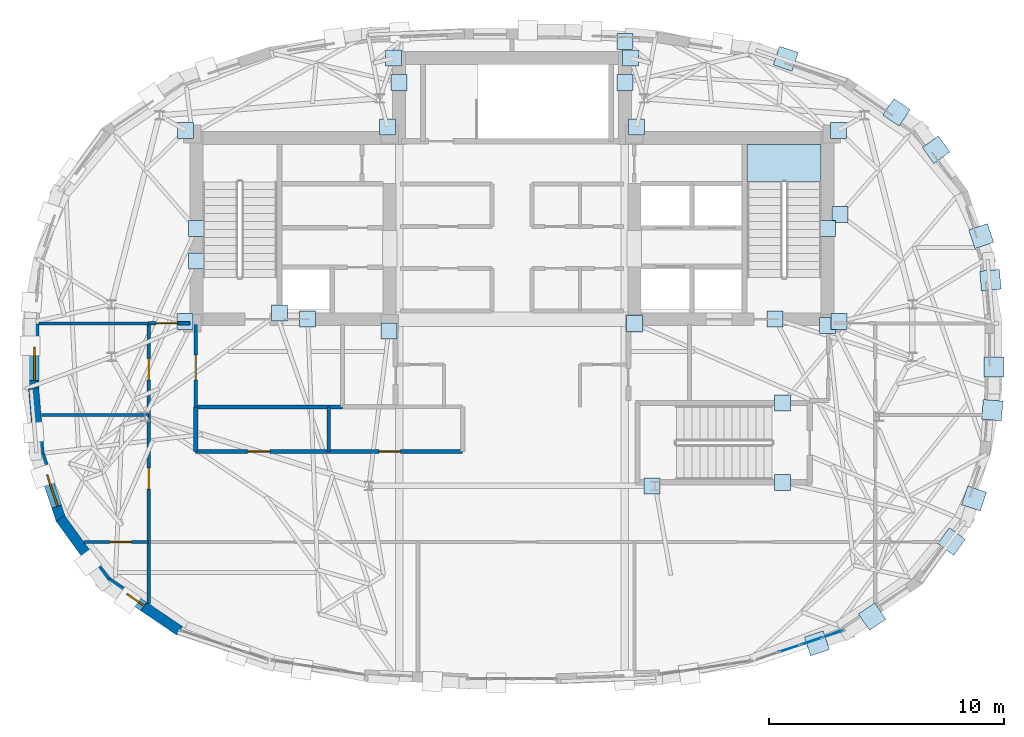
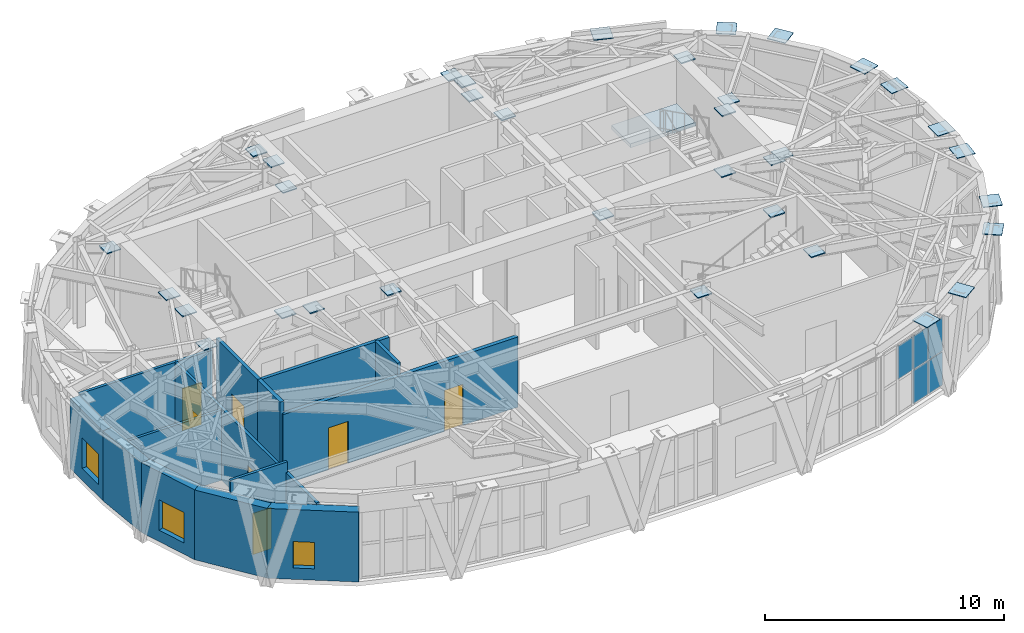
# One storey, part 9 of 16: 40 plates, 15 walls, 7 doors, 3 windows, 1 slab, 10 openings, 2 elements without a shape of their own.
"""IFC4 building model written with IfcOpenShell, lengths in metres."""

from ifc_helpers import new_model, si_unit, direction, frame, frame_2d, origin, origin_2d, place, context, subcontext, project, spatial, polyline, rectangle, outline, extrude, material, layer, layer_set, type_object, element, fill, aggregate, save


model = new_model("IFC4")

# Units and contexts
model_context = context("Model", 3, precision=1e-05, world=origin(), true_north=direction((0.0, 1.0)))
body_context = subcontext(model_context, "Body", "Model", "MODEL_VIEW")
ifc_project = project(units=[si_unit("LENGTHUNIT", "METRE"), si_unit("AREAUNIT", "SQUARE_METRE"), si_unit("VOLUMEUNIT", "CUBIC_METRE"), si_unit("PLANEANGLEUNIT", "RADIAN"), si_unit("MASSUNIT", "GRAM", prefix="KILO")], contexts=[model_context])

# Site, building, storey
site_placement = place(None, origin())
site = spatial("IfcSite", under=ifc_project, at=site_placement, CompositionType="ELEMENT")
building_placement = place(site_placement, origin())
building = spatial("IfcBuilding", under=site, at=building_placement, Name="Keldmark Tower", CompositionType="ELEMENT")
storey_placement = place(building_placement, frame((0.0, 0.0, 264.800048828125)))
storey = spatial("IfcBuildingStorey", under=building, at=storey_placement, Name="L75", CompositionType="ELEMENT", Elevation=264.800048828125)

# Plates
ifc_material_1 = material(Name="Steel ASTM A572 Grade 50", Category="steel")
ifc_layer_1 = layer(ifc_material_1, 0.06005859375)
ifc_layer_set_1 = layer_set([ifc_layer_1], Name="Steel ASTM A572 Grade 50")
plate_type_1 = type_object("IfcPlateType", Name="Belt Truss Kink Node Assembly KN01 60 mm", PredefinedType="USERDEFINED", material=ifc_layer_set_1)
for number, where, z_axis, x_axis, name in (
    (1, (5.949462890625, -5.512939453125, 3.87109375), (0.0, 0.0, 1.0), (1.0, 0.0, 0.0), "L75 Core Wall Cast-In Embed Plate 2160"),
    (2, (13.91162109375, 1.473388671875, 3.908203125), (0.0, 0.0, 1.0), (1.0, 0.0, 0.0), "L75 Core Wall Cast-In Embed Plate 2161"),
    (3, (13.878173828125, 9.608154296875, 3.908203125), (0.0, 0.0, 1.0), (1.0, 0.0, 0.0), "L75 Core Wall Cast-In Embed Plate 2162"),
    (4, (5.28515625, 9.758544921875, 3.908203125), (0.0, 0.0, 1.0), (1.0, 0.0, 0.0), "L75 Core Wall Cast-In Embed Plate 2163"),
    (5, (-5.28515625, 9.758544921875, 3.908203125), (0.0, 0.0, 1.0), (1.0, 0.0, 0.0), "L75 Core Wall Cast-In Embed Plate 2164"),
    (6, (-13.878173828125, 9.608154296875, 3.908203125), (0.0, 0.0, 1.0), (1.0, 0.0, 0.0), "L75 Core Wall Cast-In Embed Plate 2165"),
    (7, (-13.91162109375, 1.473388671875, 3.908203125), (0.0, 0.0, 1.0), (1.0, 0.0, 0.0), "L75 Core Wall Cast-In Embed Plate 2166"),
    (8, (-5.24072265625, 1.08251953125, 3.908203125), (0.0, 0.0, 1.0), (1.0, 0.0, 0.0), "L75 Core Wall Cast-In Embed Plate 2167"),
    (9, (5.199951171875, 1.39990234375, 3.908203125), (0.0, 0.0, 1.0), (1.0, 0.0, 0.0), "L75 Core Wall Cast-In Embed Plate 2168"),
    (10, (13.425048828125, 5.425048828125, 3.908203125), (0.0, 0.0, 1.0), (1.0, 0.0, 0.0), "L75 Core Wall Cast-In Embed Plate 2169"),
    (11, (13.941162109375, 6.019775390625, 3.908203125), (0.0, 0.0, 1.0), (1.0, 0.0, 0.0), "L75 Core Wall Cast-In Embed Plate 2170"),
    (12, (11.510009765625, -1.989990234375, 3.908203125), (0.0, 0.0, 1.0), (1.0, 0.0, 0.0), "L75 Core Wall Cast-In Embed Plate 2171"),
    (13, (11.19287109375, 1.574951171875, 3.908203125), (0.0, 0.0, 1.0), (1.0, 0.0, 0.0), "L75 Core Wall Cast-In Embed Plate 2172"),
    (14, (11.510009765625, -5.360107421875, 3.908203125), (0.0, 0.0, 1.0), (1.0, 0.0, 0.0), "L75 Core Wall Cast-In Embed Plate 2173"),
    (15, (13.425048828125, 1.300048828125, 3.908203125), (0.0, 0.0, 1.0), (1.0, 0.0, 0.0), "L75 Core Wall Cast-In Embed Plate 2174"),
    (16, (5.03857421875, 12.675048828125, 3.908203125), (0.0, 0.0, 1.0), (1.0, 0.0, 0.0), "L75 Core Wall Cast-In Embed Plate 2175"),
    (17, (4.800048828125, 13.37744140625, 3.908203125), (0.0, 0.0, 1.0), (1.0, 0.0, 0.0), "L75 Core Wall Cast-In Embed Plate 2176"),
    (18, (4.800048828125, 11.63330078125, 3.908203125), (0.0, 0.0, 1.0), (1.0, 0.0, 0.0), "L75 Core Wall Cast-In Embed Plate 2177"),
    (19, (-13.425048828125, 4.050048828125, 3.908203125), (0.0, 0.0, 1.0), (1.0, 0.0, 0.0), "L75 Core Wall Cast-In Embed Plate 2178"),
    (20, (-9.889892578125, 1.85009765625, 3.908203125), (0.0, 0.0, 1.0), (1.0, 0.0, 0.0), "L75 Core Wall Cast-In Embed Plate 2179"),
    (21, (-13.425048828125, 5.425048828125, 3.908203125), (0.0, 0.0, 1.0), (1.0, 0.0, 0.0), "L75 Core Wall Cast-In Embed Plate 2180"),
    (22, (-5.03857421875, 12.675048828125, 3.908203125), (0.0, 0.0, 1.0), (1.0, 0.0, 0.0), "L75 Core Wall Cast-In Embed Plate 2181"),
    (23, (-8.685791015625, 1.574951171875, 3.908203125), (0.0, 0.0, 1.0), (1.0, 0.0, 0.0), "L75 Core Wall Cast-In Embed Plate 2182"),
    (24, (-4.800048828125, 11.63330078125, 3.908203125), (0.0, 0.0, 1.0), (1.0, 0.0, 0.0), "L75 Core Wall Cast-In Embed Plate 2183"),
):
    element("IfcPlate", number, at=place(storey_placement, frame(where, z_axis=z_axis, x_axis=x_axis)), inside=storey, type_object=plate_type_1, Name=name, ObjectType="CAP PLATE", PredefinedType="USERDEFINED", context=body_context, shape_type="SweptSolid", body=[
        extrude(rectangle(XDim=0.679931640625, YDim=0.679931640625, at=origin_2d()), origin(), (0.0, 0.0, 1.0), 0.054931640625),
    ])
ifc_material_2 = material(Name="Steel ASTM A572 Grade 50", Category="steel")
ifc_layer_2 = layer(ifc_material_2, 0.034912109375)
ifc_layer_set_2 = layer_set([ifc_layer_2], Name="Steel ASTM A572 Grade 50")
plate_type_2 = type_object("IfcPlateType", Name="Diagrid Node Assembly DN06 35 mm", PredefinedType="USERDEFINED", material=ifc_layer_set_2)
for number, where, z_axis, x_axis, name in (
    (25, (20.344482421875, 3.23828125, 4.0625), (0.0, 0.0, 1.0), (-0.083677843332, 0.99649285925, 0.0), "L75 Diagrid Node Assembly 01"),
    (26, (19.954345703125, 5.110595703125, 4.0625), (0.0, 0.0, 1.0), (-0.31415815719, 0.94937066116, 0.0), "L75 Diagrid Node Assembly 02"),
    (27, (18.0341796875, 8.78125, 4.0625), (0.0, 0.0, 1.0), (-0.587785252292, 0.809016994375, 0.0), "L75 Diagrid Node Assembly 03"),
    (28, (16.349853515625, 10.37060546875, 4.0625), (0.0, 0.0, 1.0), (-0.827668733006, 0.561216953062, 0.0), "L75 Diagrid Node Assembly 04"),
    (29, (11.639892578125, 12.6552734375, 4.0625), (0.0, 0.0, 1.0), (-0.948489665534, 0.316808071828, 0.0), "L75 Diagrid Node Assembly 05"),
    (30, (12.96630859375, -12.208984375, 4.0625), (0.0, 0.0, 1.0), (0.948489665534, 0.316808071828, 0.0), "L75 Diagrid Node Assembly 27"),
    (31, (15.31591796875, -11.069091796875, 4.0625), (0.0, 0.0, 1.0), (0.827668733006, 0.561216953062, 0.0), "L75 Diagrid Node Assembly 28"),
    (32, (18.689453125, -7.878662109375, 4.0625), (0.0, 0.0, 1.0), (0.587785252292, 0.809016994375, 0.0), "L75 Diagrid Node Assembly 29"),
    (33, (19.645263671875, -6.0478515625, 4.0625), (0.0, 0.0, 1.0), (0.31415815719, 0.94937066116, 0.0), "L75 Diagrid Node Assembly 30"),
    (34, (20.42529296875, -2.291259765625, 4.0625), (0.0, 0.0, 1.0), (0.083677843332, 0.99649285925, 0.0), "L75 Diagrid Node Assembly 31"),
    (35, (20.50146484375, -0.45166015625, 4.0625), (0.0, 0.0, 1.0), (0.0, 1.0, 0.0), "L75 Diagrid Node Assembly 32"),
):
    element("IfcPlate", number, at=place(storey_placement, frame(where, z_axis=z_axis, x_axis=x_axis)), inside=storey, type_object=plate_type_2, Name=name, ObjectType="GUSSET", PredefinedType="USERDEFINED", context=body_context, shape_type="SweptSolid", body=[
        extrude(rectangle(XDim=0.840087890625, YDim=0.840087890625, at=origin_2d()), origin(), (0.0, 0.0, 1.0), 0.034912109375),
    ])

# Stair, slab
ifc_material_3 = material(Name="Concrete C40/50", Category="concrete")
stair_type = type_object("IfcStairType", Name="Precast Concrete Core Exit Stair", PredefinedType="HALF_TURN_STAIR", material=ifc_material_3)
stair_placement = place(storey_placement, origin())
stair = element("IfcStair", 36, at=stair_placement, inside=storey, type_object=stair_type, Name="L75 Exit Stair ST2", PredefinedType="HALF_TURN_STAIR")
ifc_material_4 = material(Name="Concrete C40/50", Category="concrete")
ifc_layer_3 = layer(ifc_material_4, 0.199951171875)
ifc_layer_set_3 = layer_set([ifc_layer_3], Name="Concrete C40/50")
slab_type = type_object("IfcSlabType", Name="Reinforced Concrete Stair Landing 200 mm", PredefinedType="LANDING", material=ifc_layer_set_3)
slab_placement = place(storey_placement, frame((0.0, 0.0, 2.0)))
slab = element("IfcSlab", 37, at=slab_placement, type_object=slab_type, Name="ST2 landing 1", PredefinedType="LANDING", context=body_context, shape_type="SweptSolid", body=[
    extrude(outline(polyline([(13.14990234375, 7.409912109375), (13.14990234375, 9.0), (10.0, 9.0), (10.0, 7.409912109375), (13.14990234375, 7.409912109375)])), origin(), (0.0, 0.0, 1.0), 0.199951171875),
])
aggregate(stair, [slab])

# Curtain wall, plates
ifc_material_5 = material(Name="Unitized Thermally Broken Aluminum and Triple Low-E Glazing", Category="aluminium")
ifc_layer_4 = layer(ifc_material_5, 0.219970703125)
ifc_layer_set_4 = layer_set([ifc_layer_4], Name="Unitized Thermally Broken Aluminum and Triple Low-E Glazing")
curtain_wall_type = type_object("IfcCurtainWallType", Name="Public Observation Lookout Curtain Wall System", PredefinedType="NOTDEFINED", material=ifc_layer_set_4)
curtain_wall_placement = place(storey_placement, origin())
curtain_wall = element("IfcCurtainWall", 38, at=curtain_wall_placement, inside=storey, type_object=curtain_wall_type, Name="L75 Public Observation Lookout Curtain Wall System CW-L75-27", PredefinedType="NOTDEFINED")
ifc_material_6 = material(Name="Triple Silver Low-E Insulated Glass Unit", Category="glass")
ifc_layer_5 = layer(ifc_material_6, 0.035888671875)
ifc_layer_set_5 = layer_set([ifc_layer_5], Name="Triple Silver Low-E Insulated Glass Unit")
plate_type_3 = type_object("IfcPlateType", Name="Triple Low-E Vision Glazing Panel 36 mm", PredefinedType="CURTAIN_PANEL", material=ifc_layer_set_5)
plate_1_placement = place(storey_placement, frame((13.63427734375, -11.816162109375, 0.06005859375), z_axis=(0.0, 0.0, 1.0), x_axis=(-0.948500374314, -0.316776009076, 0.0)))
plate_1 = element("IfcPlate", 39, at=plate_1_placement, type_object=plate_type_3, Name="CW panel 1.1", PredefinedType="CURTAIN_PANEL", context=body_context, shape_type="SweptSolid", body=[
    extrude(rectangle(XDim=0.881103515625, YDim=0.035888671875, at=origin_2d()), origin(), (0.0, 0.0, 1.0), 1.693115234375),
])
plate_2_placement = place(storey_placement, frame((13.63427734375, -11.816162109375, 1.81298828125), z_axis=(0.0, 0.0, 1.0), x_axis=(-0.948500374314, -0.316776009076, 0.0)))
plate_2 = element("IfcPlate", 40, at=plate_2_placement, type_object=plate_type_3, Name="CW panel 1.2", PredefinedType="CURTAIN_PANEL", context=body_context, shape_type="SweptSolid", body=[
    extrude(rectangle(XDim=0.881103515625, YDim=0.035888671875, at=origin_2d()), origin(), (0.0, 0.0, 1.0), 1.693115234375),
])
plate_3_placement = place(storey_placement, frame((12.727294921875, -12.119140625, 0.06005859375), z_axis=(0.0, 0.0, 1.0), x_axis=(-0.948500374314, -0.316776009076, 0.0)))
plate_3 = element("IfcPlate", 41, at=plate_3_placement, type_object=plate_type_3, Name="CW panel 2.1", PredefinedType="CURTAIN_PANEL", context=body_context, shape_type="SweptSolid", body=[
    extrude(rectangle(XDim=0.9111328125, YDim=0.035888671875, at=origin_2d()), origin(), (0.0, 0.0, 1.0), 1.693115234375),
])
plate_4_placement = place(storey_placement, frame((12.727294921875, -12.119140625, 1.81298828125), z_axis=(0.0, 0.0, 1.0), x_axis=(-0.948500374314, -0.316776009076, 0.0)))
plate_4 = element("IfcPlate", 42, at=plate_4_placement, type_object=plate_type_3, Name="CW panel 2.2", PredefinedType="CURTAIN_PANEL", context=body_context, shape_type="SweptSolid", body=[
    extrude(rectangle(XDim=0.9111328125, YDim=0.035888671875, at=origin_2d()), origin(), (0.0, 0.0, 1.0), 1.693115234375),
])
plate_5_placement = place(storey_placement, frame((11.80615234375, -12.4267578125, 1.81298828125), z_axis=(0.0, 0.0, 1.0), x_axis=(-0.948500374314, -0.316776009076, 0.0)))
plate_5 = element("IfcPlate", 43, at=plate_5_placement, type_object=plate_type_3, Name="CW panel 3.2", PredefinedType="CURTAIN_PANEL", context=body_context, shape_type="SweptSolid", body=[
    extrude(rectangle(XDim=0.9111328125, YDim=0.035888671875, at=origin_2d()), origin(), (0.0, 0.0, 1.0), 1.693115234375),
])
aggregate(curtain_wall, [plate_1, plate_2, plate_3, plate_4, plate_5])

# Wall, openings, doors
ifc_material_7 = material(Name="Acoustic Double-Layer Gypsum Corridor Partition", Category="gypsum")
ifc_layer_6 = layer(ifc_material_7, 0.139892578125)
ifc_layer_set_6 = layer_set([ifc_layer_6], Name="Acoustic Double-Layer Gypsum Corridor Partition")
wall_type_1 = type_object("IfcWallType", Name="Acoustic Corridor Partition 140 mm", PredefinedType="PARTITIONING", material=ifc_layer_set_6)
wall_1_placement = place(storey_placement, frame((-15.449951171875, -10.509033203125, 0.0), z_axis=(0.0, 0.0, 1.0), x_axis=(0.0, 1.0, 0.0)))
wall_1 = element("IfcWall", 44, at=wall_1_placement, inside=storey, type_object=wall_type_1, Name="L75 Acoustic Corridor Partition 140 mm COR-W", PredefinedType="PARTITIONING", context=body_context, shape_type="SweptSolid", body=[
    extrude(rectangle(XDim=11.908935546875, YDim=0.139892578125, at=frame_2d((5.95458984375, 0.0))), origin(), (0.0, 0.0, 1.0), 3.660888671875),
])
opening_1_placement = place(wall_1_placement, frame((4.858642578125, 0.0, 0.0)))
opening_1 = element("IfcOpeningElement", 45, at=opening_1_placement, cuts=wall_1, Name="Opening D-IN090", PredefinedType="OPENING", context=body_context, shape_type="SweptSolid", body=[
    extrude(rectangle(XDim=0.89990234375, YDim=2.10009765625, at=frame_2d((0.449951171875, 1.050048828125))), frame((0.0, 0.079833984375, 0.0), z_axis=(0.0, -1.0, 0.0), x_axis=(1.0, 0.0, 0.0)), (0.0, 0.0, 1.0), 0.159912109375),
])
opening_2_placement = place(wall_1_placement, frame((9.508544921875, 0.0, 0.0)))
opening_2 = element("IfcOpeningElement", 46, at=opening_2_placement, cuts=wall_1, Name="Opening D-IN090", PredefinedType="OPENING", context=body_context, shape_type="SweptSolid", body=[
    extrude(rectangle(XDim=0.89990234375, YDim=2.10009765625, at=frame_2d((0.449951171875, 1.050048828125))), frame((0.0, 0.079833984375, 0.0), z_axis=(0.0, -1.0, 0.0), x_axis=(1.0, 0.0, 0.0)), (0.0, 0.0, 1.0), 0.159912109375),
])
ifc_material_8 = material(Name="Stained American White Oak Veneer", Category="wood")
door_type_1 = type_object("IfcDoorType", Name="Interior Door 900x2100", OperationType="NOTDEFINED", PredefinedType="DOOR", material=ifc_material_8)
door_1_placement = place(opening_1_placement, origin())
door_1 = element("IfcDoor", 47, at=door_1_placement, inside=storey, type_object=door_type_1, Name="L75 Interior Door 900x2100 D-WR-1-L75", OperationType="SINGLE_SWING_RIGHT", OverallHeight=2.10009765625, OverallWidth=0.89990234375, PredefinedType="DOOR", context=body_context, shape_type="SweptSolid", body=[
    extrude(rectangle(XDim=0.89990234375, YDim=2.10009765625, at=frame_2d((0.449951171875, 1.050048828125))), frame((0.0, 0.02490234375, 0.0), z_axis=(0.0, -1.0, 0.0), x_axis=(1.0, 0.0, 0.0)), (0.0, 0.0, 1.0), 0.050048828125),
])
fill(opening_1, door_1)
door_2_placement = place(opening_2_placement, origin())
door_2 = element("IfcDoor", 48, at=door_2_placement, inside=storey, type_object=door_type_1, Name="L75 Interior Door 900x2100 D-WR-2-L75", OperationType="SINGLE_SWING_RIGHT", OverallHeight=2.10009765625, OverallWidth=0.89990234375, PredefinedType="DOOR", context=body_context, shape_type="SweptSolid", body=[
    extrude(rectangle(XDim=0.89990234375, YDim=2.10009765625, at=frame_2d((0.449951171875, 1.050048828125))), frame((0.0, 0.02490234375, 0.0), z_axis=(0.0, -1.0, 0.0), x_axis=(1.0, 0.0, 0.0)), (0.0, 0.0, 1.0), 0.050048828125),
])
fill(opening_2, door_2)

# Wall, opening, door
wall_2_placement = place(storey_placement, frame((-15.449951171875, 1.39990234375, 0.0), z_axis=(0.0, 0.0, 1.0), x_axis=(1.0, 0.0, 0.0)))
wall_2 = element("IfcWall", 49, at=wall_2_placement, inside=storey, type_object=wall_type_1, Name="L75 Acoustic Corridor Partition 140 mm COR-WN-CAP", PredefinedType="PARTITIONING", context=body_context, shape_type="SweptSolid", body=[
    extrude(rectangle(XDim=1.75, YDim=0.139892578125, at=frame_2d((0.875, 0.0))), origin(), (0.0, 0.0, 1.0), 3.660888671875),
])
opening_3_placement = place(wall_2_placement, frame((0.320068359375, 0.0, 0.0)))
opening_3 = element("IfcOpeningElement", 50, at=opening_3_placement, cuts=wall_2, Name="Opening D-EX092", PredefinedType="OPENING", context=body_context, shape_type="SweptSolid", body=[
    extrude(rectangle(XDim=0.919921875, YDim=2.14990234375, at=frame_2d((0.4599609375, 1.074951171875))), frame((0.0, 0.079833984375, 0.0), z_axis=(0.0, -1.0, 0.0), x_axis=(1.0, 0.0, 0.0)), (0.0, 0.0, 1.0), 0.159912109375),
])
ifc_material_9 = material(Name="Flush American Ash Executive Office Door", Category="wood")
door_type_2 = type_object("IfcDoorType", Name="Executive Office Door 920x2150", OperationType="NOTDEFINED", PredefinedType="DOOR", material=ifc_material_9)
door_3_placement = place(opening_3_placement, origin())
door_3 = element("IfcDoor", 51, at=door_3_placement, inside=storey, type_object=door_type_2, Name="L75 Executive Office Door 920x2150 D-NRNW-L75", OperationType="SINGLE_SWING_LEFT", OverallHeight=2.14990234375, OverallWidth=0.919921875, PredefinedType="DOOR", context=body_context, shape_type="SweptSolid", body=[
    extrude(rectangle(XDim=0.919921875, YDim=2.14990234375, at=frame_2d((0.4599609375, 1.074951171875))), frame((0.0, 0.02490234375, 0.0), z_axis=(0.0, -1.0, 0.0), x_axis=(1.0, 0.0, 0.0)), (0.0, 0.0, 1.0), 0.050048828125),
])
fill(opening_3, door_3)

# Wall, openings, doors
ifc_material_10 = material(Name="Heavy Acoustic Plumbing Chase Gypsum Assembly", Category="gypsum")
ifc_layer_7 = layer(ifc_material_10, 0.18994140625)
ifc_layer_set_7 = layer_set([ifc_layer_7], Name="Heavy Acoustic Plumbing Chase Gypsum Assembly")
wall_type_2 = type_object("IfcWallType", Name="Heavy Wet Wall 190 mm", PredefinedType="PLUMBINGWALL", material=ifc_layer_set_7)
wall_3_placement = place(storey_placement, frame((-13.449951171875, -4.050048828125, 0.0), z_axis=(0.0, 0.0, 1.0), x_axis=(1.0, 0.0, 0.0)))
wall_3 = element("IfcWall", 52, at=wall_3_placement, inside=storey, type_object=wall_type_2, Name="L75 Heavy Wet Wall 190 mm SPK-W-S", PredefinedType="PLUMBINGWALL", context=body_context, shape_type="SweptSolid", body=[
    extrude(rectangle(XDim=11.349853515625, YDim=0.18994140625, at=frame_2d((5.6748046875, 0.0))), origin(), (0.0, 0.0, 1.0), 3.5869140625),
])
opening_4_placement = place(wall_3_placement, frame((2.199951171875, 0.0, 0.0)))
opening_4 = element("IfcOpeningElement", 53, at=opening_4_placement, cuts=wall_3, Name="Opening D-AWC95", PredefinedType="OPENING", context=body_context, shape_type="SweptSolid", body=[
    extrude(rectangle(XDim=0.949951171875, YDim=2.14990234375, at=frame_2d((0.47509765625, 1.074951171875))), frame((0.0, 0.10498046875, 0.0), z_axis=(0.0, -1.0, 0.0), x_axis=(1.0, 0.0, 0.0)), (0.0, 0.0, 1.0), 0.2099609375),
])
opening_5_placement = place(wall_3_placement, frame((7.800048828125, 0.0, 0.0)))
opening_5 = element("IfcOpeningElement", 54, at=opening_5_placement, cuts=wall_3, Name="Opening D-IN090", PredefinedType="OPENING", context=body_context, shape_type="SweptSolid", body=[
    extrude(rectangle(XDim=0.89990234375, YDim=2.10009765625, at=frame_2d((0.449951171875, 1.050048828125))), frame((0.0, 0.10498046875, 0.0), z_axis=(0.0, -1.0, 0.0), x_axis=(1.0, 0.0, 0.0)), (0.0, 0.0, 1.0), 0.2099609375),
])
ifc_material_11 = material(Name="Painted Solid-Core Architectural Wood", Category="wood")
door_type_3 = type_object("IfcDoorType", Name="Accessible WC Door 950x2150", OperationType="NOTDEFINED", PredefinedType="DOOR", material=ifc_material_11)
door_4_placement = place(opening_4_placement, origin())
door_4 = element("IfcDoor", 55, at=door_4_placement, inside=storey, type_object=door_type_3, Name="L75 Accessible WC Door 950x2150 D-SPKW1-L75", OperationType="SINGLE_SWING_LEFT", OverallHeight=2.14990234375, OverallWidth=0.949951171875, PredefinedType="DOOR", context=body_context, shape_type="SweptSolid", body=[
    extrude(rectangle(XDim=0.949951171875, YDim=2.14990234375, at=frame_2d((0.47509765625, 1.074951171875))), frame((0.0, 0.02490234375, 0.0), z_axis=(0.0, -1.0, 0.0), x_axis=(1.0, 0.0, 0.0)), (0.0, 0.0, 1.0), 0.050048828125),
])
fill(opening_4, door_4)
door_5_placement = place(opening_5_placement, origin())
door_5 = element("IfcDoor", 56, at=door_5_placement, inside=storey, type_object=door_type_1, Name="L75 Interior Door 900x2100 D-SPKW2-L75", OperationType="SINGLE_SWING_RIGHT", OverallHeight=2.10009765625, OverallWidth=0.89990234375, PredefinedType="DOOR", context=body_context, shape_type="SweptSolid", body=[
    extrude(rectangle(XDim=0.89990234375, YDim=2.10009765625, at=frame_2d((0.449951171875, 1.050048828125))), frame((0.0, 0.02490234375, 0.0), z_axis=(0.0, -1.0, 0.0), x_axis=(1.0, 0.0, 0.0)), (0.0, 0.0, 1.0), 0.050048828125),
])
fill(opening_5, door_5)

# Walls
wall_4_placement = place(storey_placement, frame((-13.449951171875, -4.050048828125, 0.0), z_axis=(0.0, 0.0, 1.0), x_axis=(0.0, 1.0, 0.0)))
element("IfcWall", 57, at=wall_4_placement, inside=storey, type_object=wall_type_2, Name="L75 Heavy Wet Wall 190 mm SPK-W-W", PredefinedType="PLUMBINGWALL", context=body_context, shape_type="SweptSolid", body=[
    extrude(rectangle(XDim=1.900146484375, YDim=0.18994140625, at=frame_2d((0.9501953125, 0.0))), origin(), (0.0, 0.0, 1.0), 4.199951171875),
])
ifc_material_12 = material(Name="Acoustic Gypsum Board Interior Partition", Category="gypsum")
ifc_layer_8 = layer(ifc_material_12, 0.1298828125)
ifc_layer_set_8 = layer_set([ifc_layer_8], Name="Acoustic Gypsum Board Interior Partition")
wall_type_3 = type_object("IfcWallType", Name="Interior Partition 130 mm", PredefinedType="PARTITIONING", material=ifc_layer_set_8)
wall_5_placement = place(storey_placement, frame((-20.109375, 1.39990234375, 0.0), z_axis=(0.0, 0.0, 1.0), x_axis=(1.0, 0.0, 0.0)))
element("IfcWall", 58, at=wall_5_placement, inside=storey, type_object=wall_type_3, Name="L75 Interior Partition 130 mm W-CAP-N", PredefinedType="PARTITIONING", context=body_context, shape_type="SweptSolid", body=[
    extrude(rectangle(XDim=4.659423828125, YDim=0.1298828125, at=frame_2d((2.32958984375, 0.0))), origin(), (0.0, 0.0, 1.0), 3.660888671875),
])

# Wall, opening, door
wall_6_placement = place(storey_placement, frame((-18.1943359375, -7.89990234375, 0.0), z_axis=(0.0, 0.0, 1.0), x_axis=(1.0, 0.0, 0.0)))
wall_6 = element("IfcWall", 59, at=wall_6_placement, inside=storey, type_object=wall_type_3, Name="L75 Interior Partition 130 mm W-CAP-S", PredefinedType="PARTITIONING", context=body_context, shape_type="SweptSolid", body=[
    extrude(rectangle(XDim=2.744384765625, YDim=0.1298828125, at=frame_2d((1.3720703125, 0.0))), origin(), (0.0, 0.0, 1.0), 4.199951171875),
])
opening_6_placement = place(wall_6_placement, frame((1.110107421875, 0.0, 0.0)))
opening_6 = element("IfcOpeningElement", 60, at=opening_6_placement, cuts=wall_6, Name="Opening D-IN090", PredefinedType="OPENING", context=body_context, shape_type="SweptSolid", body=[
    extrude(rectangle(XDim=0.89990234375, YDim=2.10009765625, at=frame_2d((0.449951171875, 1.050048828125))), frame((0.0, 0.074951171875, 0.0), z_axis=(0.0, -1.0, 0.0), x_axis=(1.0, 0.0, 0.0)), (0.0, 0.0, 1.0), 0.14990234375),
])
door_6_placement = place(opening_6_placement, origin())
door_6 = element("IfcDoor", 61, at=door_6_placement, inside=storey, type_object=door_type_1, Name="L75 Interior Door 900x2100 D-WRSW-L75", OperationType="SINGLE_SWING_LEFT", OverallHeight=2.10009765625, OverallWidth=0.89990234375, PredefinedType="DOOR", context=body_context, shape_type="SweptSolid", body=[
    extrude(rectangle(XDim=0.89990234375, YDim=2.10009765625, at=frame_2d((0.449951171875, 1.050048828125))), frame((0.0, 0.02490234375, 0.0), z_axis=(0.0, -1.0, 0.0), x_axis=(1.0, 0.0, 0.0)), (0.0, 0.0, 1.0), 0.050048828125),
])
fill(opening_6, door_6)

# Walls
wall_7_placement = place(storey_placement, frame((-20.01708984375, -2.5, 0.0), z_axis=(0.0, 0.0, 1.0), x_axis=(1.0, 0.0, 0.0)))
element("IfcWall", 62, at=wall_7_placement, inside=storey, type_object=wall_type_3, Name="L75 Interior Partition 130 mm W-DIV-1", PredefinedType="PARTITIONING", context=body_context, shape_type="SweptSolid", body=[
    extrude(rectangle(XDim=4.567138671875, YDim=0.1298828125, at=frame_2d((2.28369140625, 0.0))), origin(), (0.0, 0.0, 1.0), 3.5869140625),
])
ifc_material_13 = material(Name="Type X Fire-Rated Gypsum Partition Assembly", Category="gypsum")
ifc_layer_9 = layer(ifc_material_13, 0.1650390625)
ifc_layer_set_9 = layer_set([ifc_layer_9], Name="Type X Fire-Rated Gypsum Partition Assembly")
wall_type_4 = type_object("IfcWallType", Name="Rated Partition 165 mm", PredefinedType="PARTITIONING", material=ifc_layer_set_9)
wall_8_placement = place(storey_placement, frame((-13.449951171875, -2.14990234375, 0.0), z_axis=(0.0, 0.0, 1.0), x_axis=(1.0, 0.0, 0.0)))
element("IfcWall", 63, at=wall_8_placement, inside=storey, type_object=wall_type_4, Name="L75 Rated Partition 165 mm FSAE-W-S", PredefinedType="PARTITIONING", context=body_context, shape_type="SweptSolid", body=[
    extrude(rectangle(XDim=6.25, YDim=0.1650390625, at=frame_2d((3.125, 0.0))), origin(), (0.0, 0.0, 1.0), 4.199951171875),
])

# Wall, opening, door
wall_9_placement = place(storey_placement, frame((-13.449951171875, -2.14990234375, 0.0), z_axis=(0.0, 0.0, 1.0), x_axis=(0.0, 1.0, 0.0)))
wall_9 = element("IfcWall", 64, at=wall_9_placement, inside=storey, type_object=wall_type_4, Name="L75 Rated Partition 165 mm FSAE-W-W", PredefinedType="PARTITIONING", context=body_context, shape_type="SweptSolid", body=[
    extrude(rectangle(XDim=3.5, YDim=0.1650390625, at=frame_2d((1.75, 0.0))), origin(), (0.0, 0.0, 1.0), 4.199951171875),
])
opening_7_placement = place(wall_9_placement, frame((1.14990234375, 0.0, 0.0)))
opening_7 = element("IfcOpeningElement", 65, at=opening_7_placement, cuts=wall_9, Name="Opening D-FL105", PredefinedType="OPENING", context=body_context, shape_type="SweptSolid", body=[
    extrude(rectangle(XDim=1.050048828125, YDim=2.14990234375, at=frame_2d((0.52490234375, 1.074951171875))), frame((0.0, 0.092529296875, 0.0), z_axis=(0.0, -1.0, 0.0), x_axis=(1.0, 0.0, 0.0)), (0.0, 0.0, 1.0), 0.18505859375),
])
ifc_material_14 = material(Name="Fire-Rated Mineral-Core Door and Vision Lite", Category="metal")
door_type_4 = type_object("IfcDoorType", Name="Fire Lobby Door 1050x2150", OperationType="NOTDEFINED", PredefinedType="DOOR", material=ifc_material_14)
door_7_placement = place(opening_7_placement, origin())
door_7 = element("IfcDoor", 66, at=door_7_placement, inside=storey, type_object=door_type_4, Name="L75 Fire Lobby Door 1050x2150 D-FSAEW-OUT-L75", OperationType="SINGLE_SWING_LEFT", OverallHeight=2.14990234375, OverallWidth=1.050048828125, PredefinedType="DOOR", context=body_context, shape_type="SweptSolid", body=[
    extrude(rectangle(XDim=1.050048828125, YDim=2.14990234375, at=frame_2d((0.52490234375, 1.074951171875))), frame((0.0, 0.02490234375, 0.0), z_axis=(0.0, -1.0, 0.0), x_axis=(1.0, 0.0, 0.0)), (0.0, 0.0, 1.0), 0.050048828125),
])
fill(opening_7, door_7)

# Wall, opening, window
ifc_material_15 = material(Name="Ironspot Manganese Brick and Kasota Buff Limestone Spandrel Assembly", Category="masonry")
ifc_layer_10 = layer(ifc_material_15, 0.43994140625)
ifc_layer_set_10 = layer_set([ifc_layer_10], Name="Ironspot Manganese Brick and Kasota Buff Limestone Spandrel Assembly")
wall_type_5 = type_object("IfcWallType", Name="Tower Brick Pier and Spandrel Wall 440 mm", PredefinedType="STANDARD", material=ifc_layer_set_10)
wall_10_placement = place(storey_placement, frame((-20.34130859375, -1.372802734375, 0.0), z_axis=(0.0, 0.0, 1.0), x_axis=(0.0, 1.0, 0.0)))
wall_10 = element("IfcWall", 67, at=wall_10_placement, inside=storey, type_object=wall_type_5, Name="L75 Exterior Brick and Spandrel Wall 16", PredefinedType="STANDARD", context=body_context, shape_type="SweptSolid", body=[
    extrude(rectangle(XDim=2.74560546875, YDim=0.43994140625, at=frame_2d((1.372802734375, 0.0))), origin(), (0.0, 0.0, 1.0), 3.56591796875),
])
opening_8_placement = place(wall_10_placement, frame((0.349365234375, 0.0, 0.60009765625)))
opening_8 = element("IfcOpeningElement", 68, at=opening_8_placement, cuts=wall_10, Name="Opening W-08", PredefinedType="OPENING", context=body_context, shape_type="SweptSolid", body=[
    extrude(rectangle(XDim=1.39990234375, YDim=1.550048828125, at=frame_2d((0.699951171875, 0.77490234375))), frame((0.0, 0.22998046875, 0.0), z_axis=(0.0, -1.0, 0.0), x_axis=(1.0, 0.0, 0.0)), (0.0, 0.0, 1.0), 0.4599609375),
])
ifc_material_16 = material(Name="Thermally Broken Anodized Aluminum and Triple Low-E Argon Glazing", Category="aluminium")
window_type_1 = type_object("IfcWindowType", Name="Residential Corner Punched Window 1400x1550", PartitioningType="SINGLE_PANEL", PredefinedType="WINDOW", material=ifc_material_16)
window_1_placement = place(opening_8_placement, origin())
window_1 = element("IfcWindow", 69, at=window_1_placement, inside=storey, type_object=window_type_1, Name="L75 Deep-Set Window 16", OverallHeight=1.550048828125, OverallWidth=1.39990234375, PartitioningType="SINGLE_PANEL", PredefinedType="WINDOW", context=body_context, shape_type="SweptSolid", body=[
    extrude(rectangle(XDim=1.39990234375, YDim=1.550048828125, at=frame_2d((0.699951171875, 0.77490234375))), frame((0.0, -0.010009765625, 0.0), z_axis=(0.0, -1.0, 0.0), x_axis=(1.0, 0.0, 0.0)), (0.0, 0.0, 1.0), 0.06005859375),
])
fill(opening_8, window_1)

# Wall
wall_11_placement = place(storey_placement, frame((-20.106201171875, -4.16162109375, 0.0), z_axis=(0.0, 0.0, 1.0), x_axis=(-0.083719665048, 0.996489346498, 0.0)))
element("IfcWall", 70, at=wall_11_placement, inside=storey, type_object=wall_type_5, Name="L75 Exterior Brick and Spandrel Wall 17", PredefinedType="STANDARD", context=body_context, shape_type="SweptSolid", body=[
    extrude(rectangle(XDim=2.817138671875, YDim=0.43994140625, at=frame_2d((1.40869140625, 0.0))), origin(), (0.0, 0.0, 1.0), 3.56591796875),
])

# Wall, opening, window
wall_12_placement = place(storey_placement, frame((-19.175537109375, -6.955078125, 0.0), z_axis=(0.0, 0.0, 1.0), x_axis=(-0.314148979119, 0.949373698245, 0.0)))
wall_12 = element("IfcWall", 71, at=wall_12_placement, inside=storey, type_object=wall_type_5, Name="L75 Exterior Brick and Spandrel Wall 18", PredefinedType="STANDARD", context=body_context, shape_type="SweptSolid", body=[
    extrude(rectangle(XDim=2.995849609375, YDim=0.43994140625, at=frame_2d((1.498046875, 0.0))), origin(), (0.0, 0.0, 1.0), 3.56591796875),
])
opening_9_placement = place(wall_12_placement, frame((0.5986328125, 0.0, 0.580078125)))
opening_9 = element("IfcOpeningElement", 72, at=opening_9_placement, cuts=wall_12, Name="Opening W-08", PredefinedType="OPENING", context=body_context, shape_type="SweptSolid", body=[
    extrude(rectangle(XDim=1.39990234375, YDim=1.550048828125, at=frame_2d((0.699951171875, 0.77490234375))), frame((0.0, 0.22998046875, 0.0), z_axis=(0.0, -1.0, 0.0), x_axis=(1.0, 0.0, 0.0)), (0.0, 0.0, 1.0), 0.4599609375),
])
window_2_placement = place(opening_9_placement, origin())
window_2 = element("IfcWindow", 73, at=window_2_placement, inside=storey, type_object=window_type_1, Name="L75 Deep-Set Window 18", OverallHeight=1.550048828125, OverallWidth=1.39990234375, PartitioningType="SINGLE_PANEL", PredefinedType="WINDOW", context=body_context, shape_type="SweptSolid", body=[
    extrude(rectangle(XDim=1.39990234375, YDim=1.550048828125, at=frame_2d((0.699951171875, 0.77490234375))), frame((0.0, -0.010009765625, 0.0), z_axis=(0.0, -1.0, 0.0), x_axis=(1.0, 0.0, 0.0)), (0.0, 0.0, 1.0), 0.06005859375),
])
fill(opening_9, window_2)

# Wall
wall_13_placement = place(storey_placement, frame((-17.260498046875, -9.57275390625, 0.0), z_axis=(0.0, 0.0, 1.0), x_axis=(-0.5878953838, 0.808936967697, 0.0)))
element("IfcWall", 74, at=wall_13_placement, inside=storey, type_object=wall_type_5, Name="L75 Exterior Brick and Spandrel Wall 19", PredefinedType="STANDARD", context=body_context, shape_type="SweptSolid", body=[
    extrude(rectangle(XDim=3.310302734375, YDim=0.43994140625, at=frame_2d((1.6552734375, 0.0))), origin(), (0.0, 0.0, 1.0), 3.56591796875),
])

# Wall, opening, window
wall_14_placement = place(storey_placement, frame((-14.130126953125, -11.67919921875, 0.0), z_axis=(0.0, 0.0, 1.0), x_axis=(-0.827730474906, 0.561125886867, 0.0)))
wall_14 = element("IfcWall", 75, at=wall_14_placement, inside=storey, type_object=wall_type_5, Name="L75 Exterior Brick and Spandrel Wall 20", PredefinedType="STANDARD", context=body_context, shape_type="SweptSolid", body=[
    extrude(rectangle(XDim=3.847900390625, YDim=0.43994140625, at=frame_2d((1.923828125, 0.0))), origin(), (0.0, 0.0, 1.0), 3.56591796875),
])
opening_10_placement = place(wall_14_placement, frame((1.8486328125, 0.0, 0.580078125)))
opening_10 = element("IfcOpeningElement", 76, at=opening_10_placement, cuts=wall_14, Name="Opening W-09", PredefinedType="OPENING", context=body_context, shape_type="SweptSolid", body=[
    extrude(rectangle(XDim=0.89990234375, YDim=1.35009765625, at=frame_2d((0.449951171875, 0.675048828125))), frame((0.0, 0.22998046875, 0.0), z_axis=(0.0, -1.0, 0.0), x_axis=(1.0, 0.0, 0.0)), (0.0, 0.0, 1.0), 0.4599609375),
])
ifc_material_17 = material(Name="Thermally Broken Anodized Aluminum and Triple Low-E Argon Glazing", Category="aluminium")
window_type_2 = type_object("IfcWindowType", Name="Corner Pier Deep-Set Window 900x1350", PartitioningType="SINGLE_PANEL", PredefinedType="WINDOW", material=ifc_material_17)
window_3_placement = place(opening_10_placement, origin())
window_3 = element("IfcWindow", 77, at=window_3_placement, inside=storey, type_object=window_type_2, Name="L75 Deep-Set Window 20", OverallHeight=1.35009765625, OverallWidth=0.89990234375, PartitioningType="SINGLE_PANEL", PredefinedType="WINDOW", context=body_context, shape_type="SweptSolid", body=[
    extrude(rectangle(XDim=0.89990234375, YDim=1.35009765625, at=frame_2d((0.449951171875, 0.675048828125))), frame((0.0, -0.010009765625, 0.0), z_axis=(0.0, -1.0, 0.0), x_axis=(1.0, 0.0, 0.0)), (0.0, 0.0, 1.0), 0.06005859375),
])
fill(opening_10, window_3)

# Wall
ifc_material_18 = material(Name="Moisture-Resistant Gypsum Plumbing Partition", Category="gypsum")
ifc_layer_11 = layer(ifc_material_18, 0.14990234375)
ifc_layer_set_11 = layer_set([ifc_layer_11], Name="Moisture-Resistant Gypsum Plumbing Partition")
wall_type_6 = type_object("IfcWallType", Name="Wet Wall 150 mm", PredefinedType="PLUMBINGWALL", material=ifc_layer_set_11)
wall_15_placement = place(storey_placement, frame((-7.800048828125, -4.050048828125, 0.0), z_axis=(0.0, 0.0, 1.0), x_axis=(0.0, 1.0, 0.0)))
element("IfcWall", 78, at=wall_15_placement, inside=storey, type_object=wall_type_6, Name="L75 Wet Wall 150 mm SPK-W-D1", PredefinedType="PLUMBINGWALL", context=body_context, shape_type="SweptSolid", body=[
    extrude(rectangle(XDim=1.900146484375, YDim=0.14990234375, at=frame_2d((0.9501953125, 0.0))), origin(), (0.0, 0.0, 1.0), 4.199951171875),
])

save(model, "model.ifc")
